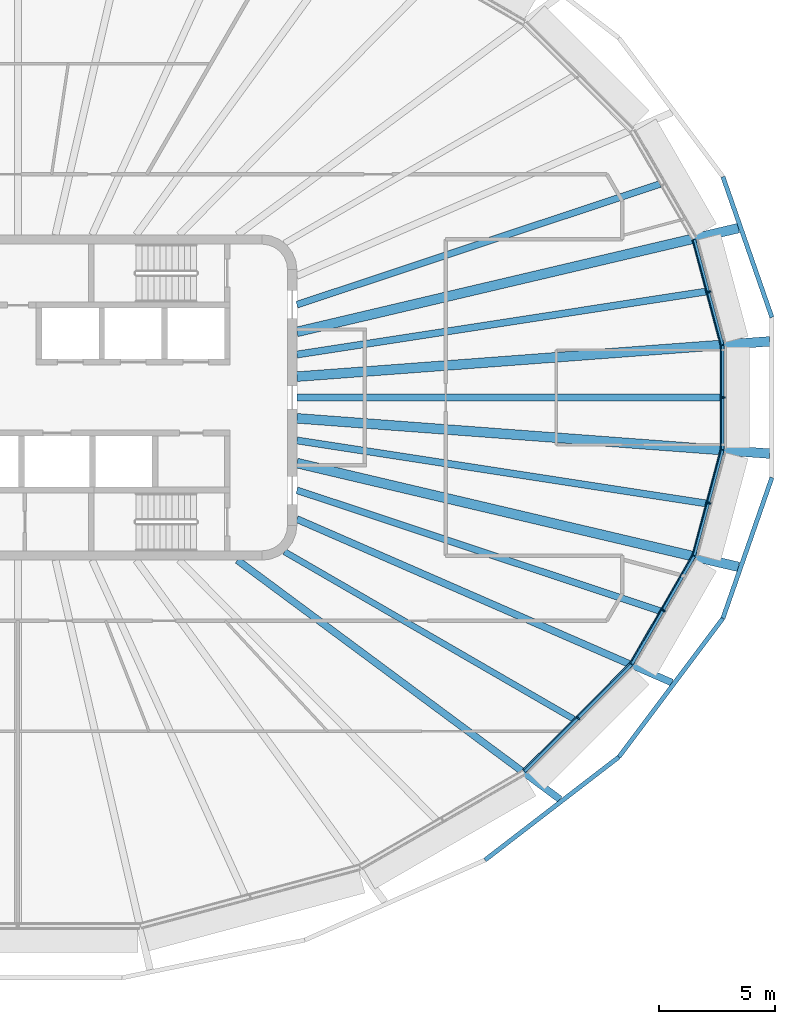
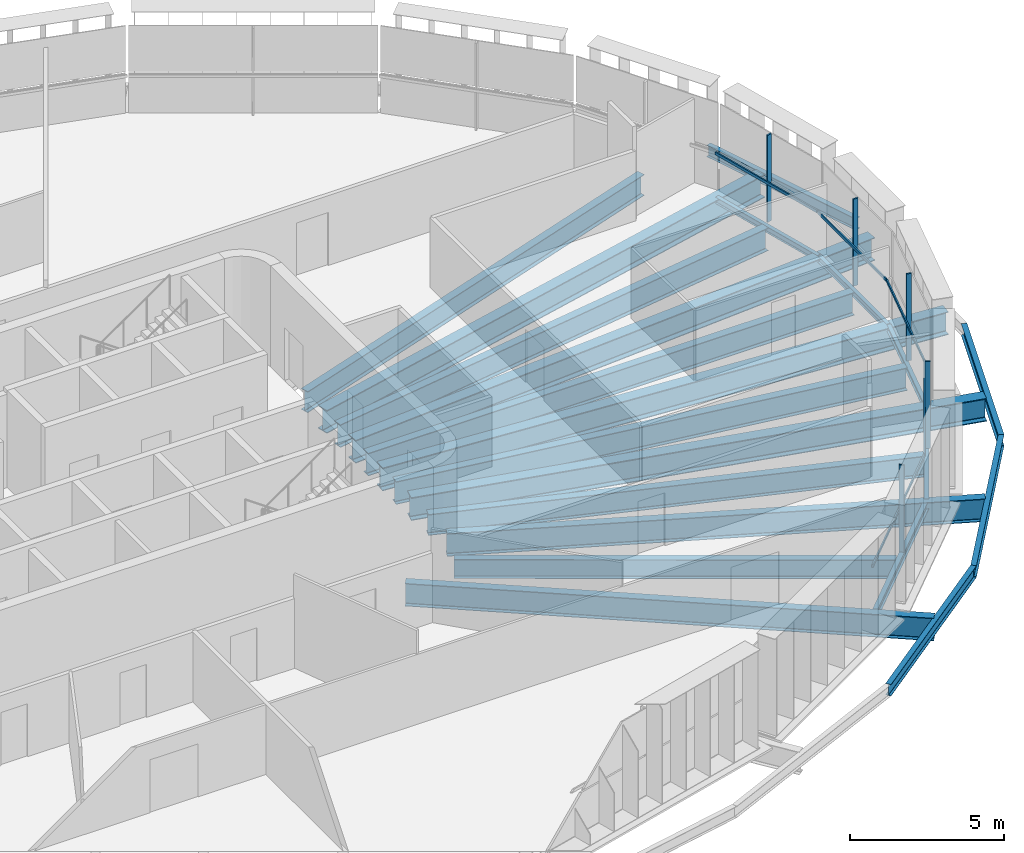
# One storey, part 4 of 19: 21 beams, 10 members, 5 elements without a shape of their own.
"""IFC4 building model written with IfcOpenShell, lengths in metres."""

from ifc_helpers import new_model, si_unit, direction, frame, origin, origin_2d, place, context, subcontext, project, spatial, rectangle, i_section, extrude, material, layer, layer_set, material_profile, profile_set, type_object, element, aggregate, save


model = new_model("IFC4")

# Units and contexts
model_context = context("Model", 3, precision=1e-05, world=origin(), true_north=direction((0.0, 1.0)))
body_context = subcontext(model_context, "Body", "Model", "MODEL_VIEW")
ifc_project = project(units=[si_unit("LENGTHUNIT", "METRE"), si_unit("AREAUNIT", "SQUARE_METRE"), si_unit("VOLUMEUNIT", "CUBIC_METRE"), si_unit("PLANEANGLEUNIT", "RADIAN"), si_unit("MASSUNIT", "GRAM", prefix="KILO")], contexts=[model_context])

# Site, building, storey
site_placement = place(None, origin())
site = spatial("IfcSite", under=ifc_project, at=site_placement, CompositionType="ELEMENT")
building_placement = place(site_placement, origin())
building = spatial("IfcBuilding", under=site, at=building_placement, Name="Sahrelin Media Tower", CompositionType="ELEMENT")
storey_placement = place(building_placement, frame((0.0, 0.0, 241.60009765625)))
storey = spatial("IfcBuildingStorey", under=building, at=storey_placement, Name="L52", CompositionType="ELEMENT", Elevation=241.60009765625)

# Beams
ifc_material_1 = material(Name="Steel S355", Category="steel")
ifc_material_profile_1 = material_profile(ifc_material_1, i_section(OverallWidth=0.14599609375, OverallDepth=0.25146484375, WebThickness=0.006103515625, FlangeThickness=0.008544921875, FilletRadius=0.007568359375, at=origin_2d()), Name="UB 254x146x31")
ifc_profile_set_1 = profile_set([ifc_material_profile_1], Name="Steel S355")
beam_type_1 = type_object("IfcBeamType", Name="Edge beam EB1", PredefinedType="BEAM", material=ifc_profile_set_1)
beam_1_placement = place(storey_placement, frame((30.300048828125, 2.240234375, -0.27587890625), z_axis=(0.0, -1.0, 0.0), x_axis=(1.0, 0.0, 0.0)))
element("IfcBeam", 1, at=beam_1_placement, inside=storey, type_object=beam_type_1, Name="Edge beam L52-01", PredefinedType="BEAM", context=body_context, shape_type="SweptSolid", body=[
    extrude(i_section(OverallWidth=0.14599609375, OverallDepth=0.25146484375, WebThickness=0.006103515625, FlangeThickness=0.008544921875, FilletRadius=0.007568359375, at=origin_2d()), origin(), (0.0, 0.0, 1.0), 4.48046875),
])
for number, where, z_axis, x_axis, name in (
    (2, (30.296142578125, -2.268798828125, -0.27587890625), (-0.258770785767, -0.965938756047, 0.0), (0.965938756047, -0.258770785767, 0.0), "Edge beam L52-02"),
    (3, (29.082763671875, 6.798095703125, -0.27587890625), (0.258770785767, -0.965938756047, 0.0), (0.965938756047, 0.258770785767, 0.0), "Edge beam L52-24"),
):
    element("IfcBeam", number, at=place(storey_placement, frame(where, z_axis=z_axis, x_axis=x_axis)), inside=storey, type_object=beam_type_1, Name=name, PredefinedType="BEAM", context=body_context, shape_type="SweptSolid", body=[
        extrude(i_section(OverallWidth=0.14599609375, OverallDepth=0.25146484375, WebThickness=0.006103515625, FlangeThickness=0.008544921875, FilletRadius=0.007568359375, at=origin_2d()), origin(), (0.0, 0.0, 1.0), 4.68896484375),
    ])
ifc_material_profile_2 = material_profile(ifc_material_1, i_section(OverallWidth=0.1650390625, OverallDepth=0.303466796875, WebThickness=0.006103515625, FlangeThickness=0.01025390625, FilletRadius=0.0087890625, at=origin_2d()), Name="UB 305x165x40")
ifc_profile_set_2 = profile_set([ifc_material_profile_2], Name="Steel S355")
beam_type_2 = type_object("IfcBeamType", Name="Edge beam EB2", PredefinedType="BEAM", material=ifc_profile_set_2)
beam_2_placement = place(storey_placement, frame((29.07177734375, -6.82470703125, -0.3017578125), z_axis=(-0.500034814518, -0.86600530268, 0.0), x_axis=(0.86600530268, -0.500034814518, 0.0)))
element("IfcBeam", 4, at=beam_2_placement, inside=storey, type_object=beam_type_2, Name="Edge beam L52-03", PredefinedType="BEAM", context=body_context, shape_type="SweptSolid", body=[
    extrude(i_section(OverallWidth=0.1650390625, OverallDepth=0.303466796875, WebThickness=0.006103515625, FlangeThickness=0.01025390625, FilletRadius=0.0087890625, at=origin_2d()), origin(), (0.0, 0.0, 1.0), 5.3447265625),
])
ifc_material_profile_3 = material_profile(ifc_material_1, i_section(OverallWidth=0.17138671875, OverallDepth=0.35498046875, WebThickness=0.00732421875, FlangeThickness=0.011474609375, FilletRadius=0.01025390625, at=origin_2d()), Name="UB 356x171x51")
ifc_profile_set_3 = profile_set([ifc_material_profile_3], Name="Steel S355")
beam_type_3 = type_object("IfcBeamType", Name="Edge beam EB3", PredefinedType="BEAM", material=ifc_profile_set_3)
beam_3_placement = place(storey_placement, frame((26.381591796875, -11.476318359375, -0.32763671875), z_axis=(-0.707106781187, -0.707106781187, 0.0), x_axis=(0.707106781187, -0.707106781187, 0.0)))
element("IfcBeam", 5, at=beam_3_placement, inside=storey, type_object=beam_type_3, Name="Edge beam L52-04", PredefinedType="BEAM", context=body_context, shape_type="SweptSolid", body=[
    extrude(i_section(OverallWidth=0.17138671875, OverallDepth=0.35498046875, WebThickness=0.00732421875, FlangeThickness=0.011474609375, FilletRadius=0.01025390625, at=origin_2d()), origin(), (0.0, 0.0, 1.0), 6.508544921875),
])

# Curtain wall, member
ifc_material_2 = material(Name="Champagne anodised aluminium 6063-T6", Category="aluminium")
ifc_layer = layer(ifc_material_2, 0.14990234375)
ifc_layer_set = layer_set([ifc_layer], Name="Tower ribbon curtain wall")
curtain_wall_type = type_object("IfcCurtainWallType", Name="Tower ribbon curtain wall", PredefinedType="NOTDEFINED", material=ifc_layer_set)
curtain_wall_1_placement = place(storey_placement, frame((30.449951171875, 0.0, 0.0), z_axis=(0.0, 0.0, 1.0), x_axis=(1.0, 0.0, 0.0)))
curtain_wall_1 = element("IfcCurtainWall", 6, at=curtain_wall_1_placement, inside=storey, type_object=curtain_wall_type, Name="L52:CW:L52-00", PredefinedType="NOTDEFINED")
ifc_material_profile_4 = material_profile(ifc_material_2, rectangle(XDim=0.06005859375, YDim=0.175048828125, at=origin_2d()), Name="Mullion 60x175")
ifc_profile_set_4 = profile_set([ifc_material_profile_4], Name="Champagne anodised aluminium 6063-T6")
member_type_1 = type_object("IfcMemberType", Name="Mullion 60x175 CW1B", PredefinedType="MULLION", material=ifc_profile_set_4)
member_1_placement = place(storey_placement, frame((30.342529296875, 0.0, 0.0), z_axis=(0.0, 0.0, 1.0), x_axis=(0.0, 1.0, 0.0)))
member_1 = element("IfcMember", 7, at=member_1_placement, type_object=member_type_1, Name="L52:CWM:L52-00", PredefinedType="MULLION", context=body_context, shape_type="SweptSolid", body=[
    extrude(rectangle(XDim=0.06005859375, YDim=0.175048828125, at=origin_2d()), origin(), (0.0, 0.0, 1.0), 3.448486328125),
])

curtain_wall_2_placement = place(storey_placement, frame((29.83447265625, 4.572265625, 0.0), z_axis=(0.0, 0.0, 1.0), x_axis=(1.0, 0.0, 0.0)))
curtain_wall_2 = element("IfcCurtainWall", 8, at=curtain_wall_2_placement, inside=storey, type_object=curtain_wall_type, Name="L52:CW:L52-01", PredefinedType="NOTDEFINED")
member_2_placement = place(storey_placement, frame((29.73046875, 4.54443359375, 0.0), z_axis=(0.0, 0.0, 1.0), x_axis=(-0.258812301662, 0.965927633163, 0.0)))
member_2 = element("IfcMember", 9, at=member_2_placement, type_object=member_type_1, Name="L52:CWM:L52-01", PredefinedType="MULLION", context=body_context, shape_type="SweptSolid", body=[
    extrude(rectangle(XDim=0.06005859375, YDim=0.175048828125, at=origin_2d()), origin(), (0.0, 0.0, 1.0), 3.448486328125),
])

curtain_wall_3_placement = place(storey_placement, frame((24.1865234375, -13.88330078125, 0.0), z_axis=(0.0, 0.0, 1.0), x_axis=(1.0, 0.0, 0.0)))
curtain_wall_3 = element("IfcCurtainWall", 10, at=curtain_wall_3_placement, inside=storey, type_object=curtain_wall_type, Name="L52:CW:L52-21", PredefinedType="NOTDEFINED")
member_3_placement = place(storey_placement, frame((24.110595703125, -13.807373046875, 0.0), z_axis=(0.0, 0.0, 1.0), x_axis=(0.707106781187, 0.707106781187, 0.0)))
member_3 = element("IfcMember", 11, at=member_3_placement, type_object=member_type_1, Name="L52:CWM:L52-21", PredefinedType="MULLION", context=body_context, shape_type="SweptSolid", body=[
    extrude(rectangle(XDim=0.06005859375, YDim=0.175048828125, at=origin_2d()), origin(), (0.0, 0.0, 1.0), 3.448486328125),
])

curtain_wall_4_placement = place(storey_placement, frame((27.865234375, -9.214111328125, 0.0), z_axis=(0.0, 0.0, 1.0), x_axis=(1.0, 0.0, 0.0)))
curtain_wall_4 = element("IfcCurtainWall", 12, at=curtain_wall_4_placement, inside=storey, type_object=curtain_wall_type, Name="L52:CW:L52-22", PredefinedType="NOTDEFINED")
member_4_placement = place(storey_placement, frame((27.772216796875, -9.16015625, 0.0), z_axis=(0.0, 0.0, 1.0), x_axis=(0.500009068969, 0.866020167749, 0.0)))
member_4 = element("IfcMember", 13, at=member_4_placement, type_object=member_type_1, Name="L52:CWM:L52-22", PredefinedType="MULLION", context=body_context, shape_type="SweptSolid", body=[
    extrude(rectangle(XDim=0.06005859375, YDim=0.175048828125, at=origin_2d()), origin(), (0.0, 0.0, 1.0), 3.448486328125),
])

curtain_wall_5_placement = place(storey_placement, frame((29.834228515625, -4.572265625, 0.0), z_axis=(0.0, 0.0, 1.0), x_axis=(1.0, 0.0, 0.0)))
curtain_wall_5 = element("IfcCurtainWall", 14, at=curtain_wall_5_placement, inside=storey, type_object=curtain_wall_type, Name="L52:CW:L52-23", PredefinedType="NOTDEFINED")
member_5_placement = place(storey_placement, frame((29.73046875, -4.54443359375, 0.0), z_axis=(0.0, 0.0, 1.0), x_axis=(0.258812301662, 0.965927633163, 0.0)))
member_5 = element("IfcMember", 15, at=member_5_placement, type_object=member_type_1, Name="L52:CWM:L52-23", PredefinedType="MULLION", context=body_context, shape_type="SweptSolid", body=[
    extrude(rectangle(XDim=0.06005859375, YDim=0.175048828125, at=origin_2d()), origin(), (0.0, 0.0, 1.0), 3.448486328125),
])

# Beams
ifc_material_profile_5 = material_profile(ifc_material_1, i_section(OverallWidth=0.30322265625, OverallDepth=0.903076171875, WebThickness=0.01513671875, FlangeThickness=0.020263671875, FilletRadius=0.01904296875, at=origin_2d()), Name="UB 914x305x201")
ifc_profile_set_5 = profile_set([ifc_material_profile_5], Name="Steel S355")
beam_type_4 = type_object("IfcBeamType", Name="Radial primary beam PB11", PredefinedType="BEAM", material=ifc_profile_set_5)
beam_4_placement = place(storey_placement, frame((9.441162109375, -7.0, -0.6015625), z_axis=(0.803283801232, -0.595596452876, 0.0), x_axis=(0.595596452876, 0.803283801232, 0.0)))
element("IfcBeam", 16, at=beam_4_placement, inside=storey, type_object=beam_type_4, Name="Radial beam L52-21", PredefinedType="BEAM", context=body_context, shape_type="SweptSolid", body=[
    extrude(i_section(OverallWidth=0.30322265625, OverallDepth=0.903076171875, WebThickness=0.01513671875, FlangeThickness=0.020263671875, FilletRadius=0.01904296875, at=origin_2d()), origin(), (0.0, 0.0, 1.0), 17.280029296875),
])
beam_5_placement = place(storey_placement, frame((12.0, -5.2314453125, -0.6015625), z_axis=(0.916676810204, -0.399629360325, 0.0), x_axis=(0.399629360325, 0.916676810204, 0.0)))
element("IfcBeam", 17, at=beam_5_placement, inside=storey, type_object=beam_type_4, Name="Radial beam L52-22", PredefinedType="BEAM", context=body_context, shape_type="SweptSolid", body=[
    extrude(i_section(OverallWidth=0.30322265625, OverallDepth=0.903076171875, WebThickness=0.01513671875, FlangeThickness=0.020263671875, FilletRadius=0.01904296875, at=origin_2d()), origin(), (0.0, 0.0, 1.0), 17.5986328125),
])
ifc_material_profile_6 = material_profile(ifc_material_1, i_section(OverallWidth=0.41845703125, OverallDepth=0.911865234375, WebThickness=0.019287109375, FlangeThickness=0.031982421875, FilletRadius=0.024169921875, at=origin_2d()), Name="UB 914x419x343")
ifc_profile_set_6 = profile_set([ifc_material_profile_6], Name="Steel S355")
beam_type_5 = type_object("IfcBeamType", Name="Radial primary beam PB12", PredefinedType="BEAM", material=ifc_profile_set_6)
beam_6_placement = place(storey_placement, frame((12.0, 0.896484375, -0.60595703125), z_axis=(0.9972224295, 0.074481045259, 0.0), x_axis=(-0.074481045259, 0.9972224295, 0.0)))
element("IfcBeam", 18, at=beam_6_placement, inside=storey, type_object=beam_type_5, Name="Radial beam L52-01", PredefinedType="BEAM", context=body_context, shape_type="SweptSolid", body=[
    extrude(i_section(OverallWidth=0.41845703125, OverallDepth=0.911865234375, WebThickness=0.019287109375, FlangeThickness=0.031982421875, FilletRadius=0.024169921875, at=origin_2d()), origin(), (0.0, 0.0, 1.0), 20.39501953125),
])
for number, where, z_axis, x_axis, name in (
    (19, (12.0, 2.8212890625, -0.60595703125), (0.973454238249, 0.228881729359, 0.0), (-0.228881729359, 0.973454238249, 0.0), "Radial beam L52-02"),
    (20, (12.0, -2.8212890625, -0.60595703125), (0.973454238249, -0.228881729359, 0.0), (0.228881729359, 0.973454238249, 0.0), "Radial beam L52-23"),
):
    element("IfcBeam", number, at=place(storey_placement, frame(where, z_axis=z_axis, x_axis=x_axis)), inside=storey, type_object=beam_type_5, Name=name, PredefinedType="BEAM", context=body_context, shape_type="SweptSolid", body=[
        extrude(i_section(OverallWidth=0.41845703125, OverallDepth=0.911865234375, WebThickness=0.019287109375, FlangeThickness=0.031982421875, FilletRadius=0.024169921875, at=origin_2d()), origin(), (0.0, 0.0, 1.0), 19.513671875),
    ])
beam_7_placement = place(storey_placement, frame((12.0, -0.896484375, -0.60595703125), z_axis=(0.9972224295, -0.074481045259, 0.0), x_axis=(0.074481045259, 0.9972224295, 0.0)))
element("IfcBeam", 21, at=beam_7_placement, inside=storey, type_object=beam_type_5, Name="Radial beam L52-24", PredefinedType="BEAM", context=body_context, shape_type="SweptSolid", body=[
    extrude(i_section(OverallWidth=0.41845703125, OverallDepth=0.911865234375, WebThickness=0.019287109375, FlangeThickness=0.031982421875, FilletRadius=0.024169921875, at=origin_2d()), origin(), (0.0, 0.0, 1.0), 20.39501953125),
])
ifc_material_profile_7 = material_profile(ifc_material_1, i_section(OverallWidth=0.291748046875, OverallDepth=0.8349609375, WebThickness=0.013916015625, FlangeThickness=0.018798828125, FilletRadius=0.017822265625, at=origin_2d()), Name="UB 838x292x176")
ifc_profile_set_7 = profile_set([ifc_material_profile_7], Name="Steel S355")
beam_type_6 = type_object("IfcBeamType", Name="Radial secondary beam SB10", PredefinedType="BEAM", material=ifc_profile_set_7)
for number, where, z_axis, x_axis, name in (
    (22, (12.0, 3.990234375, -0.567626953125), (0.948913009395, 0.315537795835, 0.0), (-0.315537795835, 0.948913009395, 0.0), "Secondary beam L52-02"),
    (23, (12.0, -3.990234375, -0.567626953125), (0.948913009395, -0.315537795835, 0.0), (0.315537795835, 0.948913009395, 0.0), "Secondary beam L52-22"),
):
    element("IfcBeam", number, at=place(storey_placement, frame(where, z_axis=z_axis, x_axis=x_axis)), inside=storey, type_object=beam_type_6, Name=name, PredefinedType="BEAM", context=body_context, shape_type="SweptSolid", body=[
        extrude(i_section(OverallWidth=0.291748046875, OverallDepth=0.8349609375, WebThickness=0.013916015625, FlangeThickness=0.018798828125, FilletRadius=0.017822265625, at=origin_2d()), origin(), (0.0, 0.0, 1.0), 16.45556640625),
    ])
ifc_material_profile_8 = material_profile(ifc_material_1, i_section(OverallWidth=0.30322265625, OverallDepth=0.903076171875, WebThickness=0.01513671875, FlangeThickness=0.020263671875, FilletRadius=0.01904296875, at=origin_2d()), Name="UB 914x305x201")
ifc_profile_set_8 = profile_set([ifc_material_profile_8], Name="Steel S355")
beam_type_7 = type_object("IfcBeamType", Name="Radial secondary beam SB11", PredefinedType="BEAM", material=ifc_profile_set_8)
for number, where, z_axis, x_axis, name in (
    (24, (12.0, 1.847412109375, -0.6015625), (0.988358068544, 0.152145747046, 0.0), (-0.152145747046, 0.988358068544, 0.0), "Secondary beam L52-01"),
    (25, (12.0, -1.847412109375, -0.6015625), (0.988358068544, -0.152145747046, 0.0), (0.152145747046, 0.988358068544, 0.0), "Secondary beam L52-23"),
):
    element("IfcBeam", number, at=place(storey_placement, frame(where, z_axis=z_axis, x_axis=x_axis)), inside=storey, type_object=beam_type_7, Name=name, PredefinedType="BEAM", context=body_context, shape_type="SweptSolid", body=[
        extrude(i_section(OverallWidth=0.30322265625, OverallDepth=0.903076171875, WebThickness=0.01513671875, FlangeThickness=0.020263671875, FilletRadius=0.01904296875, at=origin_2d()), origin(), (0.0, 0.0, 1.0), 17.81494140625),
    ])
beam_8_placement = place(storey_placement, frame((12.0, 0.0, -0.6015625), z_axis=(1.0, 0.0, 0.0), x_axis=(0.0, 1.0, 0.0)))
element("IfcBeam", 26, at=beam_8_placement, inside=storey, type_object=beam_type_7, Name="Secondary beam L52-24", PredefinedType="BEAM", context=body_context, shape_type="SweptSolid", body=[
    extrude(i_section(OverallWidth=0.30322265625, OverallDepth=0.903076171875, WebThickness=0.01513671875, FlangeThickness=0.020263671875, FilletRadius=0.01904296875, at=origin_2d()), origin(), (0.0, 0.0, 1.0), 18.22705078125),
])
ifc_material_profile_9 = material_profile(ifc_material_1, i_section(OverallWidth=0.26513671875, OverallDepth=0.75390625, WebThickness=0.0126953125, FlangeThickness=0.017578125, FilletRadius=0.0166015625, at=origin_2d()), Name="UB 762x267x147")
ifc_profile_set_9 = profile_set([ifc_material_profile_9], Name="Steel S355")
beam_type_8 = type_object("IfcBeamType", Name="Radial secondary beam SB9", PredefinedType="BEAM", material=ifc_profile_set_9)
beam_9_placement = place(storey_placement, frame((11.465087890625, -6.634033203125, -0.527099609375), z_axis=(0.865540628134, -0.500838717602, 0.0), x_axis=(0.500838717602, 0.865540628134, 0.0)))
element("IfcBeam", 27, at=beam_9_placement, inside=storey, type_object=beam_type_8, Name="Secondary beam L52-21", PredefinedType="BEAM", context=body_context, shape_type="SweptSolid", body=[
    extrude(i_section(OverallWidth=0.26513671875, OverallDepth=0.75390625, WebThickness=0.0126953125, FlangeThickness=0.017578125, FilletRadius=0.0166015625, at=origin_2d()), origin(), (0.0, 0.0, 1.0), 14.371826171875),
])
ifc_material_profile_10 = material_profile(ifc_material_1, i_section(OverallWidth=0.1904296875, OverallDepth=0.45703125, WebThickness=0.009033203125, FlangeThickness=0.014404296875, FilletRadius=0.01025390625, at=origin_2d()), Name="UB 457x191x74")
ifc_profile_set_10 = profile_set([ifc_material_profile_10], Name="Steel S355")
beam_type_9 = type_object("IfcBeamType", Name="Tie chord TC5", PredefinedType="BEAM", material=ifc_profile_set_10)
beam_10_placement = place(storey_placement, frame((32.43359375, 3.447021484375, -0.378662109375), z_axis=(-0.328799998058, 0.944399577127, 0.0), x_axis=(-0.944399577127, -0.328799998058, 0.0)))
element("IfcBeam", 28, at=beam_10_placement, inside=storey, type_object=beam_type_9, Name="Tie chord L52-01", PredefinedType="BEAM", context=body_context, shape_type="SweptSolid", body=[
    extrude(i_section(OverallWidth=0.1904296875, OverallDepth=0.45703125, WebThickness=0.009033203125, FlangeThickness=0.014404296875, FilletRadius=0.01025390625, at=origin_2d()), origin(), (0.0, 0.0, 1.0), 6.40576171875),
])
beam_11_placement = place(storey_placement, frame((20.09521484375, -19.895751953125, -0.378662109375), z_axis=(0.792452705175, 0.609933365263, 0.0), x_axis=(-0.609933365263, 0.792452705175, 0.0)))
element("IfcBeam", 29, at=beam_11_placement, inside=storey, type_object=beam_type_9, Name="Tie chord L52-21", PredefinedType="BEAM", context=body_context, shape_type="SweptSolid", body=[
    extrude(i_section(OverallWidth=0.1904296875, OverallDepth=0.45703125, WebThickness=0.009033203125, FlangeThickness=0.014404296875, FilletRadius=0.01025390625, at=origin_2d()), origin(), (0.0, 0.0, 1.0), 7.260498046875),
])
beam_12_placement = place(storey_placement, frame((25.848876953125, -15.46728515625, -0.378662109375), z_axis=(0.60004186865, 0.7999685968, 0.0), x_axis=(-0.7999685968, 0.60004186865, 0.0)))
element("IfcBeam", 30, at=beam_12_placement, inside=storey, type_object=beam_type_9, Name="Tie chord L52-22", PredefinedType="BEAM", context=body_context, shape_type="SweptSolid", body=[
    extrude(i_section(OverallWidth=0.1904296875, OverallDepth=0.45703125, WebThickness=0.009033203125, FlangeThickness=0.014404296875, FilletRadius=0.01025390625, at=origin_2d()), origin(), (0.0, 0.0, 1.0), 7.463623046875),
])
beam_13_placement = place(storey_placement, frame((30.327392578125, -9.49658203125, -0.378662109375), z_axis=(0.328799998058, 0.944399577127, 0.0), x_axis=(-0.944399577127, 0.328799998058, 0.0)))
element("IfcBeam", 31, at=beam_13_placement, inside=storey, type_object=beam_type_9, Name="Tie chord L52-23", PredefinedType="BEAM", context=body_context, shape_type="SweptSolid", body=[
    extrude(i_section(OverallWidth=0.1904296875, OverallDepth=0.45703125, WebThickness=0.009033203125, FlangeThickness=0.014404296875, FilletRadius=0.01025390625, at=origin_2d()), origin(), (0.0, 0.0, 1.0), 6.40576171875),
])

# Member
ifc_material_profile_11 = material_profile(ifc_material_2, rectangle(XDim=0.050048828125, YDim=0.110107421875, at=origin_2d()), Name="Transom 50x110")
ifc_profile_set_11 = profile_set([ifc_material_profile_11], Name="Champagne anodised aluminium 6063-T6")
member_type_2 = type_object("IfcMemberType", Name="Transom 50x110 CW1B", PredefinedType="USERDEFINED", material=ifc_profile_set_11)
member_6_placement = place(storey_placement, frame((30.22998046875, -2.224609375, 1.599853515625), z_axis=(0.0, 1.0, 0.0), x_axis=(-1.0, 0.0, 0.0)))
member_6 = element("IfcMember", 32, at=member_6_placement, type_object=member_type_2, Name="L52:CWT:L52-00", ObjectType="TRANSOM", PredefinedType="USERDEFINED", context=body_context, shape_type="SweptSolid", body=[
    extrude(rectangle(XDim=0.050048828125, YDim=0.110107421875, at=origin_2d()), origin(), (0.0, 0.0, 1.0), 4.44921875),
])

aggregate(curtain_wall_1, [member_1, member_6])

member_7_placement = place(storey_placement, frame((30.224609375, 2.265869140625, 1.599853515625), z_axis=(-0.258843509974, 0.965919270614, 0.0), x_axis=(-0.965919270614, -0.258843509974, 0.0)))
member_7 = element("IfcMember", 33, at=member_7_placement, type_object=member_type_2, Name="L52:CWT:L52-01", ObjectType="TRANSOM", PredefinedType="USERDEFINED", context=body_context, shape_type="SweptSolid", body=[
    extrude(rectangle(XDim=0.050048828125, YDim=0.110107421875, at=origin_2d()), origin(), (0.0, 0.0, 1.0), 4.657470703125),
])

aggregate(curtain_wall_2, [member_2, member_7])

member_8_placement = place(storey_placement, frame((21.740966796875, -16.017822265625, 1.599853515625), z_axis=(0.707125627567, 0.707087934304, 0.0), x_axis=(-0.707087934304, 0.707125627567, 0.0)))
member_8 = element("IfcMember", 34, at=member_8_placement, type_object=member_type_2, Name="L52:CWT:L52-21", ObjectType="TRANSOM", PredefinedType="USERDEFINED", context=body_context, shape_type="SweptSolid", body=[
    extrude(rectangle(XDim=0.050048828125, YDim=0.110107421875, at=origin_2d()), origin(), (0.0, 0.0, 1.0), 6.47705078125),
])

aggregate(curtain_wall_3, [member_3, member_8])

member_9_placement = place(storey_placement, frame((26.346435546875, -11.40478515625, 1.599853515625), z_axis=(0.500003519352, 0.866023371876, 0.0), x_axis=(-0.866023371876, 0.500003519352, 0.0)))
member_9 = element("IfcMember", 35, at=member_9_placement, type_object=member_type_2, Name="L52:CWT:L52-22", ObjectType="TRANSOM", PredefinedType="USERDEFINED", context=body_context, shape_type="SweptSolid", body=[
    extrude(rectangle(XDim=0.050048828125, YDim=0.110107421875, at=origin_2d()), origin(), (0.0, 0.0, 1.0), 5.3134765625),
])

aggregate(curtain_wall_4, [member_4, member_9])

member_10_placement = place(storey_placement, frame((29.01904296875, -6.7646484375, 1.599853515625), z_axis=(0.258843509974, 0.965919270614, 0.0), x_axis=(-0.965919270614, 0.258843509974, 0.0)))
member_10 = element("IfcMember", 36, at=member_10_placement, type_object=member_type_2, Name="L52:CWT:L52-23", ObjectType="TRANSOM", PredefinedType="USERDEFINED", context=body_context, shape_type="SweptSolid", body=[
    extrude(rectangle(XDim=0.050048828125, YDim=0.110107421875, at=origin_2d()), origin(), (0.0, 0.0, 1.0), 4.657470703125),
])

aggregate(curtain_wall_5, [member_5, member_10])

save(model, "model.ifc")
